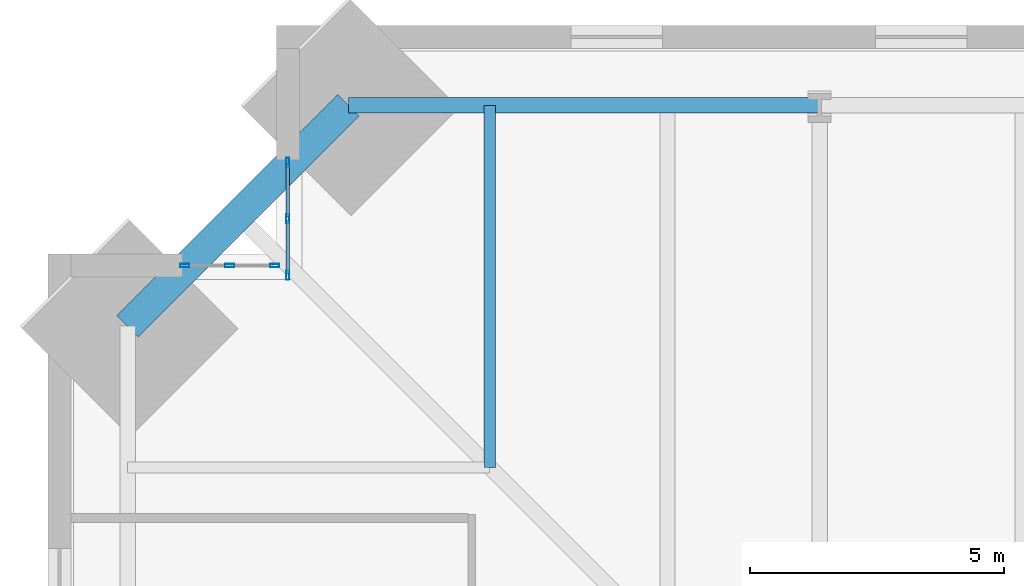
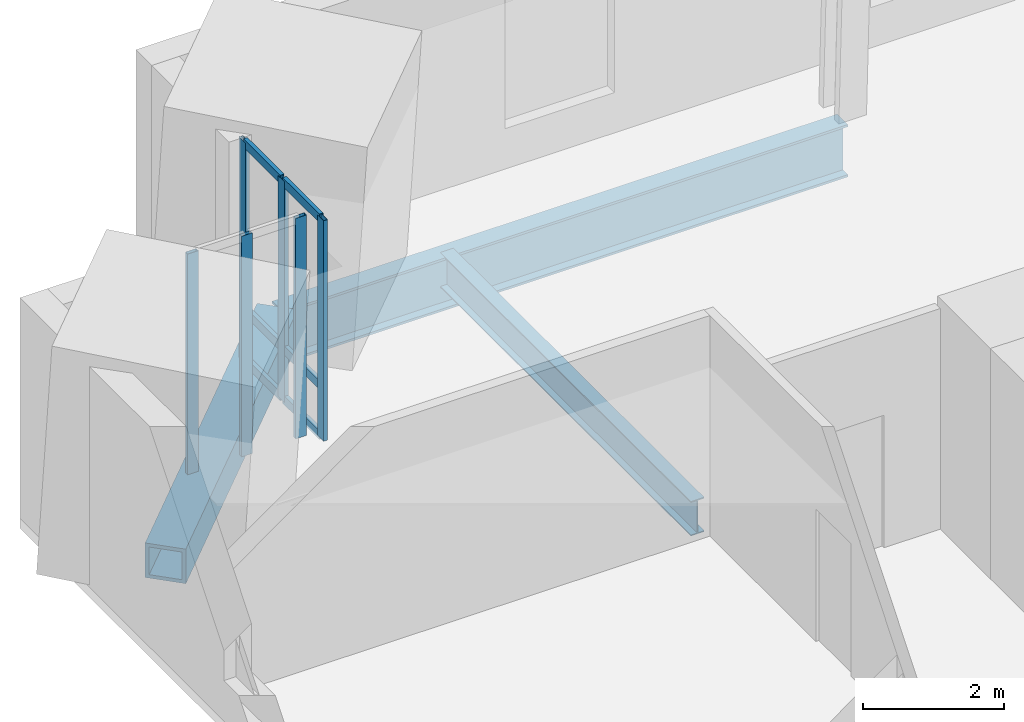
# One storey, part 6 of 15: 12 members, 3 beams, 2 elements without a shape of their own.
"""IFC4 building model written with IfcOpenShell, lengths in metres."""

from ifc_helpers import new_model, si_unit, direction, frame, origin, origin_2d, place, context, subcontext, project, spatial, hollow_rectangle, i_section, extrude, material, material_profile, profile_set, type_object, element, aggregate, save


model = new_model("IFC4")

# Units and contexts
model_context = context("Model", 3, precision=1e-05, world=origin(), true_north=direction((0.0, 1.0)))
body_context = subcontext(model_context, "Body", "Model", "MODEL_VIEW")
ifc_project = project(units=[si_unit("LENGTHUNIT", "METRE"), si_unit("AREAUNIT", "SQUARE_METRE"), si_unit("VOLUMEUNIT", "CUBIC_METRE"), si_unit("PLANEANGLEUNIT", "RADIAN"), si_unit("MASSUNIT", "GRAM", prefix="KILO")], contexts=[model_context])

# Site, building, storey
site_placement = place(None, origin())
site = spatial("IfcSite", under=ifc_project, at=site_placement, CompositionType="ELEMENT")
building_placement = place(site_placement, origin())
building = spatial("IfcBuilding", under=site, at=building_placement, Name="Peilmerk Tower", CompositionType="ELEMENT")
storey_placement = place(building_placement, frame((0.0, 0.0, 229.800048828125)))
storey = spatial("IfcBuildingStorey", under=building, at=storey_placement, Name="L50", CompositionType="ELEMENT", Elevation=229.800048828125)

# Beams
ifc_material_1 = material(Name="Steel S355", Category="steel")
ifc_material_profile_1 = material_profile(ifc_material_1, i_section(OverallWidth=0.219970703125, OverallDepth=0.60009765625, WebThickness=0.011962890625, FlangeThickness=0.01904296875, at=origin_2d()), Name="IPE 600")
ifc_profile_set_1 = profile_set([ifc_material_profile_1], Name="Steel S355")
beam_type_1 = type_object("IfcBeamType", Name="B10 IPE 600 floor beam", PredefinedType="BEAM", material=ifc_profile_set_1)
beam_1_placement = place(storey_placement, frame((-14.5, 14.5, -0.469970703125), z_axis=(0.0, 1.0, 0.0), x_axis=(-1.0, 0.0, 0.0)))
element("IfcBeam", 1, at=beam_1_placement, inside=storey, type_object=beam_type_1, Name="Floor beam L50", PredefinedType="BEAM", context=body_context, shape_type="SweptSolid", body=[
    extrude(i_section(OverallWidth=0.219970703125, OverallDepth=0.60009765625, WebThickness=0.011962890625, FlangeThickness=0.01904296875, at=origin_2d()), origin(), (0.0, 0.0, 1.0), 7.130615234375),
])
ifc_material_profile_2 = material_profile(ifc_material_1, i_section(OverallWidth=0.302001953125, OverallDepth=0.909912109375, WebThickness=0.02099609375, FlangeThickness=0.0400390625, at=origin_2d()), Name="HEM 900")
ifc_profile_set_2 = profile_set([ifc_material_profile_2], Name="Steel S355")
beam_type_2 = type_object("IfcBeamType", Name="B2 HEM 900 edge beam", PredefinedType="SPANDREL", material=ifc_profile_set_2)
beam_2_placement = place(storey_placement, frame((-8.0, 21.630615234375, -0.625), z_axis=(-1.0, 0.0, 0.0), x_axis=(0.0, -1.0, 0.0)))
element("IfcBeam", 2, at=beam_2_placement, inside=storey, type_object=beam_type_2, Name="Edge beam L50", PredefinedType="SPANDREL", context=body_context, shape_type="SweptSolid", body=[
    extrude(i_section(OverallWidth=0.302001953125, OverallDepth=0.909912109375, WebThickness=0.02099609375, FlangeThickness=0.0400390625, at=origin_2d()), origin(), (0.0, 0.0, 1.0), 9.28076171875),
])
ifc_material_2 = material(Name="Steel S460", Category="steel")
ifc_material_profile_3 = material_profile(ifc_material_2, hollow_rectangle(XDim=0.60009765625, YDim=0.60009765625, WallThickness=0.06005859375, at=origin_2d()), Name="BOX 600x600x60")
ifc_profile_set_3 = profile_set([ifc_material_profile_3], Name="Steel S460")
beam_type_3 = type_object("IfcBeamType", Name="B20 BOX 600x600x60 notch beam", PredefinedType="SPANDREL", material=ifc_profile_set_3)
beam_3_placement = place(storey_placement, frame((-21.630615234375, 17.28076171875, -0.469970703125), z_axis=(0.707106781187, 0.707106781187, 0.0), x_axis=(-0.707106781187, 0.707106781187, 0.0)))
element("IfcBeam", 3, at=beam_3_placement, inside=storey, type_object=beam_type_3, Name="Notch beam L50", PredefinedType="SPANDREL", context=body_context, shape_type="SweptSolid", body=[
    extrude(hollow_rectangle(XDim=0.60009765625, YDim=0.60009765625, WallThickness=0.06005859375, at=origin_2d()), origin(), (0.0, 0.0, 1.0), 6.151611328125),
])

# Curtain wall, members
ifc_material_3 = material(Name="Aluminium stick curtain wall", Category="aluminium")
curtain_wall_type = type_object("IfcCurtainWallType", Name="CW4 stick curtain wall, 2250 module", PredefinedType="NOTDEFINED", material=ifc_material_3)
curtain_wall_1_placement = place(storey_placement, origin())
curtain_wall_1 = element("IfcCurtainWall", 4, at=curtain_wall_1_placement, inside=storey, type_object=curtain_wall_type, Name="Curtain wall CW4 NWA L50", PredefinedType="NOTDEFINED")
ifc_material_4 = material(Name="Aluminium EN AW-6063 T6", Category="aluminium")
ifc_material_profile_4 = material_profile(ifc_material_4, hollow_rectangle(XDim=0.06494140625, YDim=0.179931640625, WallThickness=0.0029296875, at=origin_2d()), Name="AL 180x65x3")
ifc_profile_set_4 = profile_set([ifc_material_profile_4], Name="Aluminium EN AW-6063 T6")
member_type_1 = type_object("IfcMemberType", Name="CW4-M AL 180x65x3 mullion", PredefinedType="MULLION", material=ifc_profile_set_4)
member_1_placement = place(storey_placement, frame((-18.47509765625, 18.282470703125, 0.0), z_axis=(0.0, 0.0, 1.0), x_axis=(-1.0, 0.0, 0.0)))
member_1 = element("IfcMember", 5, at=member_1_placement, type_object=member_type_1, Name="CW4 mullion 1", PredefinedType="MULLION", context=body_context, shape_type="SweptSolid", body=[
    extrude(hollow_rectangle(XDim=0.06494140625, YDim=0.179931640625, WallThickness=0.0029296875, at=origin_2d()), origin(), (0.0, 0.0, 1.0), 3.829833984375),
])
member_2_placement = place(storey_placement, frame((-18.47509765625, 19.394287109375, 0.0), z_axis=(0.0, 0.0, 1.0), x_axis=(-1.0, 0.0, 0.0)))
member_2 = element("IfcMember", 6, at=member_2_placement, type_object=member_type_1, Name="CW4 mullion 2", PredefinedType="MULLION", context=body_context, shape_type="SweptSolid", body=[
    extrude(hollow_rectangle(XDim=0.06494140625, YDim=0.179931640625, WallThickness=0.0029296875, at=origin_2d()), origin(), (0.0, 0.0, 1.0), 3.829833984375),
])
member_3_placement = place(storey_placement, frame((-18.47509765625, 20.506103515625, 0.0), z_axis=(0.0, 0.0, 1.0), x_axis=(-1.0, 0.0, 0.0)))
member_3 = element("IfcMember", 7, at=member_3_placement, type_object=member_type_1, Name="CW4 mullion 3", PredefinedType="MULLION", context=body_context, shape_type="SweptSolid", body=[
    extrude(hollow_rectangle(XDim=0.06494140625, YDim=0.179931640625, WallThickness=0.0029296875, at=origin_2d()), origin(), (0.0, 0.0, 1.0), 3.829833984375),
])

curtain_wall_2_placement = place(storey_placement, origin())
curtain_wall_2 = element("IfcCurtainWall", 8, at=curtain_wall_2_placement, inside=storey, type_object=curtain_wall_type, Name="Curtain wall CW4 NWB L50", PredefinedType="NOTDEFINED")
member_4_placement = place(storey_placement, frame((-18.732421875, 18.47509765625, 0.0), z_axis=(0.0, 0.0, 1.0), x_axis=(0.0, -1.0, 0.0)))
member_4 = element("IfcMember", 9, at=member_4_placement, type_object=member_type_1, Name="CW4 mullion 1", PredefinedType="MULLION", context=body_context, shape_type="SweptSolid", body=[
    extrude(hollow_rectangle(XDim=0.06494140625, YDim=0.179931640625, WallThickness=0.0029296875, at=origin_2d()), origin(), (0.0, 0.0, 1.0), 3.829833984375),
])
member_5_placement = place(storey_placement, frame((-19.619384765625, 18.47509765625, 0.0), z_axis=(0.0, 0.0, 1.0), x_axis=(0.0, -1.0, 0.0)))
member_5 = element("IfcMember", 10, at=member_5_placement, type_object=member_type_1, Name="CW4 mullion 2", PredefinedType="MULLION", context=body_context, shape_type="SweptSolid", body=[
    extrude(hollow_rectangle(XDim=0.06494140625, YDim=0.179931640625, WallThickness=0.0029296875, at=origin_2d()), origin(), (0.0, 0.0, 1.0), 3.829833984375),
])
member_6_placement = place(storey_placement, frame((-20.506103515625, 18.47509765625, 0.0), z_axis=(0.0, 0.0, 1.0), x_axis=(0.0, -1.0, 0.0)))
member_6 = element("IfcMember", 11, at=member_6_placement, type_object=member_type_1, Name="CW4 mullion 3", PredefinedType="MULLION", context=body_context, shape_type="SweptSolid", body=[
    extrude(hollow_rectangle(XDim=0.06494140625, YDim=0.179931640625, WallThickness=0.0029296875, at=origin_2d()), origin(), (0.0, 0.0, 1.0), 3.829833984375),
])
aggregate(curtain_wall_2, [member_4, member_5, member_6])

# Member
ifc_material_profile_5 = material_profile(ifc_material_4, hollow_rectangle(XDim=0.06494140625, YDim=0.14990234375, WallThickness=0.0029296875, at=origin_2d()), Name="AL 150x65x3")
ifc_profile_set_5 = profile_set([ifc_material_profile_5], Name="Aluminium EN AW-6063 T6")
member_type_2 = type_object("IfcMemberType", Name="CW4-T AL 150x65x3 transom", PredefinedType="USERDEFINED", material=ifc_profile_set_5)
member_7_placement = place(storey_placement, frame((-18.47509765625, 18.31494140625, 0.032470703125), z_axis=(0.0, 1.0, 0.0), x_axis=(-1.0, 0.0, 0.0)))
member_7 = element("IfcMember", 12, at=member_7_placement, type_object=member_type_2, Name="CW4 transom 1.1", ObjectType="TRANSOM", PredefinedType="USERDEFINED", context=body_context, shape_type="SweptSolid", body=[
    extrude(hollow_rectangle(XDim=0.06494140625, YDim=0.14990234375, WallThickness=0.0029296875, at=origin_2d()), origin(), (0.0, 0.0, 1.0), 1.046875),
])

member_8_placement = place(storey_placement, frame((-18.47509765625, 18.31494140625, 0.89990234375), z_axis=(0.0, 1.0, 0.0), x_axis=(-1.0, 0.0, 0.0)))
member_8 = element("IfcMember", 13, at=member_8_placement, type_object=member_type_2, Name="CW4 transom 1.2", ObjectType="TRANSOM", PredefinedType="USERDEFINED", context=body_context, shape_type="SweptSolid", body=[
    extrude(hollow_rectangle(XDim=0.06494140625, YDim=0.14990234375, WallThickness=0.0029296875, at=origin_2d()), origin(), (0.0, 0.0, 1.0), 1.046875),
])

member_9_placement = place(storey_placement, frame((-18.47509765625, 18.31494140625, 3.79736328125), z_axis=(0.0, 1.0, 0.0), x_axis=(-1.0, 0.0, 0.0)))
member_9 = element("IfcMember", 14, at=member_9_placement, type_object=member_type_2, Name="CW4 transom 1.3", ObjectType="TRANSOM", PredefinedType="USERDEFINED", context=body_context, shape_type="SweptSolid", body=[
    extrude(hollow_rectangle(XDim=0.06494140625, YDim=0.14990234375, WallThickness=0.0029296875, at=origin_2d()), origin(), (0.0, 0.0, 1.0), 1.046875),
])

member_10_placement = place(storey_placement, frame((-18.47509765625, 19.4267578125, 0.032470703125), z_axis=(0.0, 1.0, 0.0), x_axis=(-1.0, 0.0, 0.0)))
member_10 = element("IfcMember", 15, at=member_10_placement, type_object=member_type_2, Name="CW4 transom 2.1", ObjectType="TRANSOM", PredefinedType="USERDEFINED", context=body_context, shape_type="SweptSolid", body=[
    extrude(hollow_rectangle(XDim=0.06494140625, YDim=0.14990234375, WallThickness=0.0029296875, at=origin_2d()), origin(), (0.0, 0.0, 1.0), 1.046875),
])

member_11_placement = place(storey_placement, frame((-18.47509765625, 19.4267578125, 0.89990234375), z_axis=(0.0, 1.0, 0.0), x_axis=(-1.0, 0.0, 0.0)))
member_11 = element("IfcMember", 16, at=member_11_placement, type_object=member_type_2, Name="CW4 transom 2.2", ObjectType="TRANSOM", PredefinedType="USERDEFINED", context=body_context, shape_type="SweptSolid", body=[
    extrude(hollow_rectangle(XDim=0.06494140625, YDim=0.14990234375, WallThickness=0.0029296875, at=origin_2d()), origin(), (0.0, 0.0, 1.0), 1.046875),
])

member_12_placement = place(storey_placement, frame((-18.47509765625, 19.4267578125, 3.79736328125), z_axis=(0.0, 1.0, 0.0), x_axis=(-1.0, 0.0, 0.0)))
member_12 = element("IfcMember", 17, at=member_12_placement, type_object=member_type_2, Name="CW4 transom 2.3", ObjectType="TRANSOM", PredefinedType="USERDEFINED", context=body_context, shape_type="SweptSolid", body=[
    extrude(hollow_rectangle(XDim=0.06494140625, YDim=0.14990234375, WallThickness=0.0029296875, at=origin_2d()), origin(), (0.0, 0.0, 1.0), 1.046875),
])

aggregate(curtain_wall_1, [member_1, member_2, member_3, member_7, member_8, member_9, member_10, member_11, member_12])

save(model, "model.ifc")
